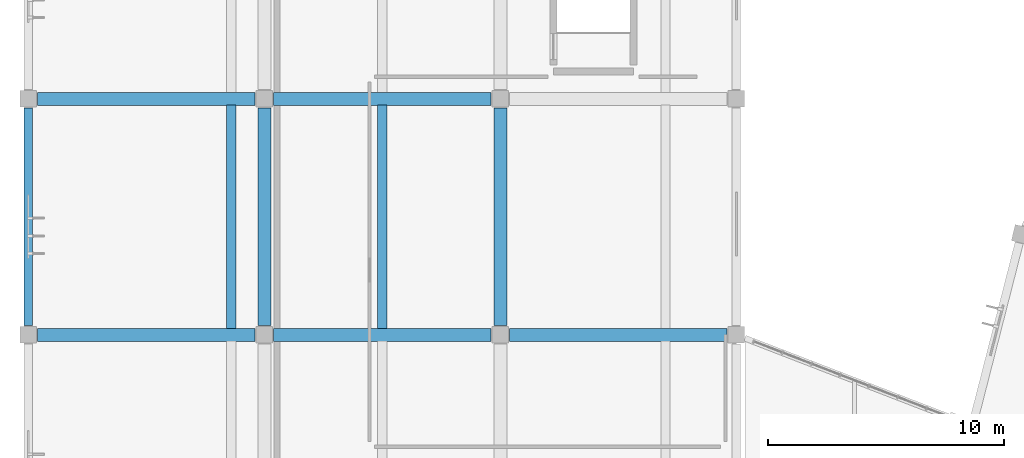
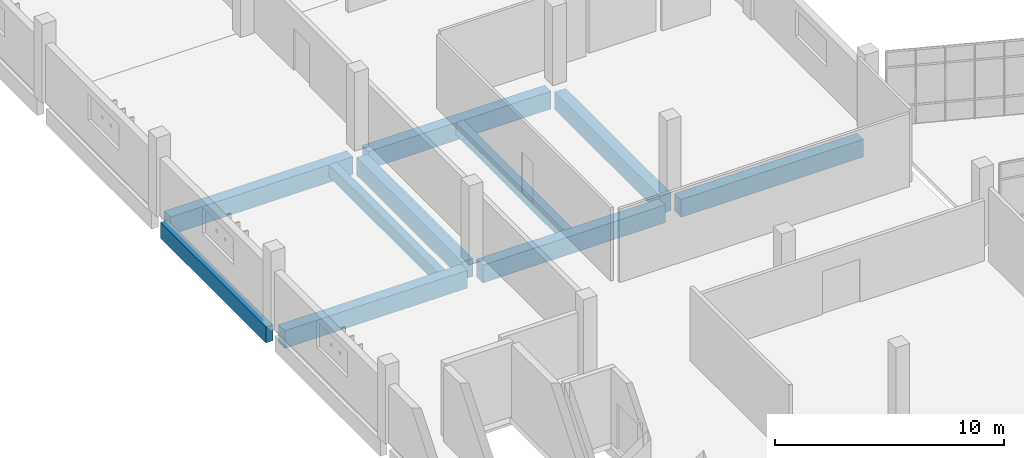
# One storey, part 7 of 142: 10 beams.
"""IFC4 building model written with IfcOpenShell, lengths in metres."""

from ifc_helpers import new_model, si_unit, direction, frame, origin, origin_2d, place, context, subcontext, project, spatial, rectangle, extrude, material, material_profile, profile_set, type_object, element, save


model = new_model("IFC4")

# Units and contexts
model_context = context("Model", 3, precision=1e-05, world=origin(), true_north=direction((0.0, 1.0)))
body_context = subcontext(model_context, "Body", "Model", "MODEL_VIEW")
ifc_project = project(units=[si_unit("LENGTHUNIT", "METRE"), si_unit("AREAUNIT", "SQUARE_METRE"), si_unit("VOLUMEUNIT", "CUBIC_METRE"), si_unit("PLANEANGLEUNIT", "RADIAN"), si_unit("MASSUNIT", "GRAM", prefix="KILO")], contexts=[model_context])

# Site, building, storey
site_placement = place(None, origin())
site = spatial("IfcSite", under=ifc_project, at=site_placement, CompositionType="ELEMENT")
building_placement = place(site_placement, origin())
building = spatial("IfcBuilding", under=site, at=building_placement, Name="Corvandel Quay Wholesale Market", CompositionType="ELEMENT")
storey_placement = place(building_placement, frame((0.0, 0.0, 10.800048828125)))
storey = spatial("IfcBuildingStorey", under=building, at=storey_placement, Name="L02", CompositionType="ELEMENT", Elevation=10.800048828125)

# Beams
ifc_material = material(Name="Precast concrete C45/55", Category="concrete")
ifc_material_profile_1 = material_profile(ifc_material, rectangle(XDim=0.550048828125, YDim=0.949951171875, at=origin_2d()), Name="PC-GIR-550x950")
ifc_profile_set_1 = profile_set([ifc_material_profile_1], Name="Precast concrete C45/55")
beam_type_1 = type_object("IfcBeamType", Name="Cold Store Floor Girder G02 550x950", PredefinedType="USERDEFINED", material=ifc_profile_set_1)
for number, where, z_axis, x_axis, name in (
    (1, (20.39501953125, 50.0, -0.795166015625), (1.0, 0.0, 0.0), (0.0, 1.0, 0.0), "Beam BM-1161"),
    (2, (30.39501953125, 50.0, -0.795166015625), (1.0, 0.0, 0.0), (0.0, 1.0, 0.0), "Beam BM-1162"),
    (3, (40.39501953125, 50.0, -0.795166015625), (1.0, 0.0, 0.0), (0.0, 1.0, 0.0), "Beam BM-1163"),
    (4, (20.39501953125, 60.0, -0.795166015625), (1.0, 0.0, 0.0), (0.0, 1.0, 0.0), "Beam BM-1164"),
    (5, (30.39501953125, 60.0, -0.795166015625), (1.0, 0.0, 0.0), (0.0, 1.0, 0.0), "Beam BM-1165"),
    (6, (30.0, 50.39501953125, -0.795166015625), (0.0, 1.0, 0.0), (-1.0, 0.0, 0.0), "Beam BM-1208"),
    (7, (40.0, 50.39501953125, -0.795166015625), (0.0, 1.0, 0.0), (-1.0, 0.0, 0.0), "Beam BM-1221"),
):
    element("IfcBeam", number, at=place(storey_placement, frame(where, z_axis=z_axis, x_axis=x_axis)), inside=storey, type_object=beam_type_1, Name=name, ObjectType="GIRDER", PredefinedType="USERDEFINED", context=body_context, shape_type="SweptSolid", body=[
        extrude(rectangle(XDim=0.550048828125, YDim=0.949951171875, at=origin_2d()), origin(), (0.0, 0.0, 1.0), 9.2099609375),
    ])
ifc_material_profile_2 = material_profile(ifc_material, rectangle(XDim=0.39990234375, YDim=0.64990234375, at=origin_2d()), Name="PC-BM-400x650")
ifc_profile_set_2 = profile_set([ifc_material_profile_2], Name="Precast concrete C45/55")
beam_type_2 = type_object("IfcBeamType", Name="Cold Store Secondary Beam B01 400x650", PredefinedType="BEAM", material=ifc_profile_set_2)
for number, where, z_axis, x_axis, name in (
    (8, (28.60009765625, 50.264892578125, -0.64501953125), (0.0, 1.0, 0.0), (-1.0, 0.0, 0.0), "Beam BM-1247"),
    (9, (35.0, 50.264892578125, -0.64501953125), (0.0, 1.0, 0.0), (-1.0, 0.0, 0.0), "Beam BM-1260"),
):
    element("IfcBeam", number, at=place(storey_placement, frame(where, z_axis=z_axis, x_axis=x_axis)), inside=storey, type_object=beam_type_2, Name=name, PredefinedType="BEAM", context=body_context, shape_type="SweptSolid", body=[
        extrude(rectangle(XDim=0.39990234375, YDim=0.64990234375, at=origin_2d()), origin(), (0.0, 0.0, 1.0), 9.47021484375),
    ])
ifc_material_profile_3 = material_profile(ifc_material, rectangle(XDim=0.35009765625, YDim=0.85009765625, at=origin_2d()), Name="PC-SPN-350x850")
ifc_profile_set_3 = profile_set([ifc_material_profile_3], Name="Precast concrete C45/55")
beam_type_3 = type_object("IfcBeamType", Name="Perimeter Precast Spandrel SP01 350x850", PredefinedType="SPANDREL", material=ifc_profile_set_3)
beam_placement = place(storey_placement, frame((20.0, 50.39501953125, -0.7451171875), z_axis=(0.0, 1.0, 0.0), x_axis=(-1.0, 0.0, 0.0)))
element("IfcBeam", 10, at=beam_placement, inside=storey, type_object=beam_type_3, Name="Beam BM-1195", PredefinedType="SPANDREL", context=body_context, shape_type="SweptSolid", body=[
    extrude(rectangle(XDim=0.35009765625, YDim=0.85009765625, at=origin_2d()), origin(), (0.0, 0.0, 1.0), 9.2099609375),
])

save(model, "model.ifc")
